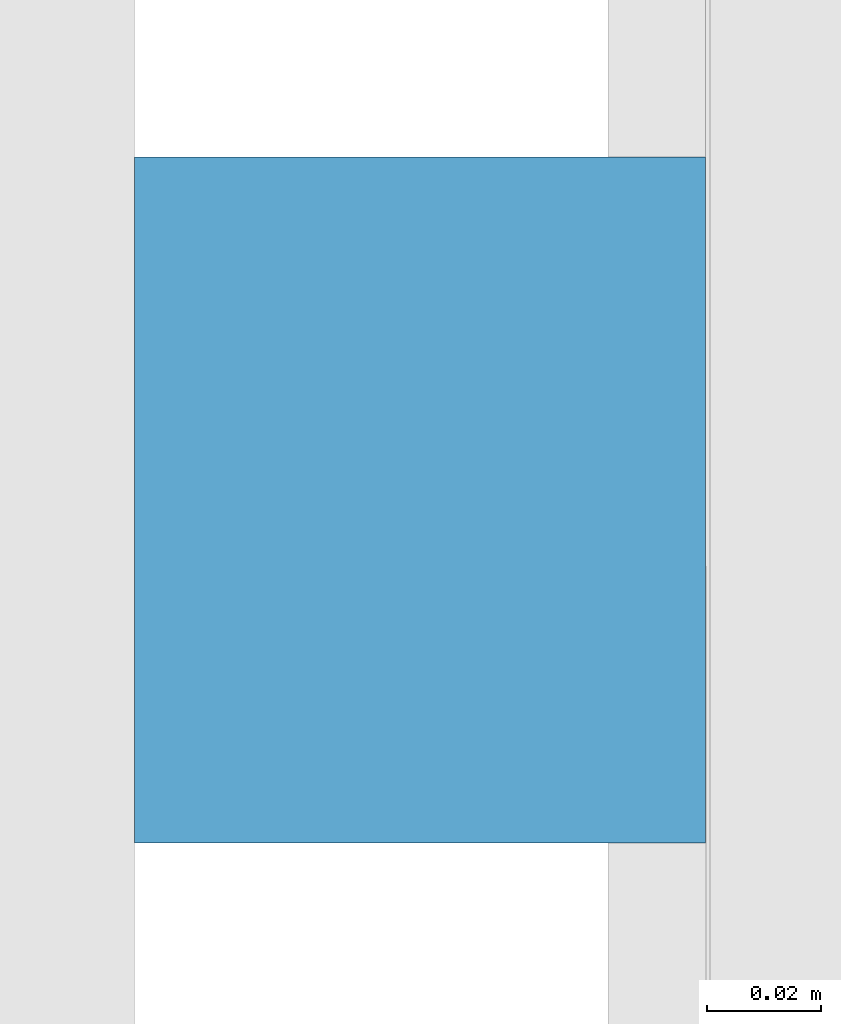
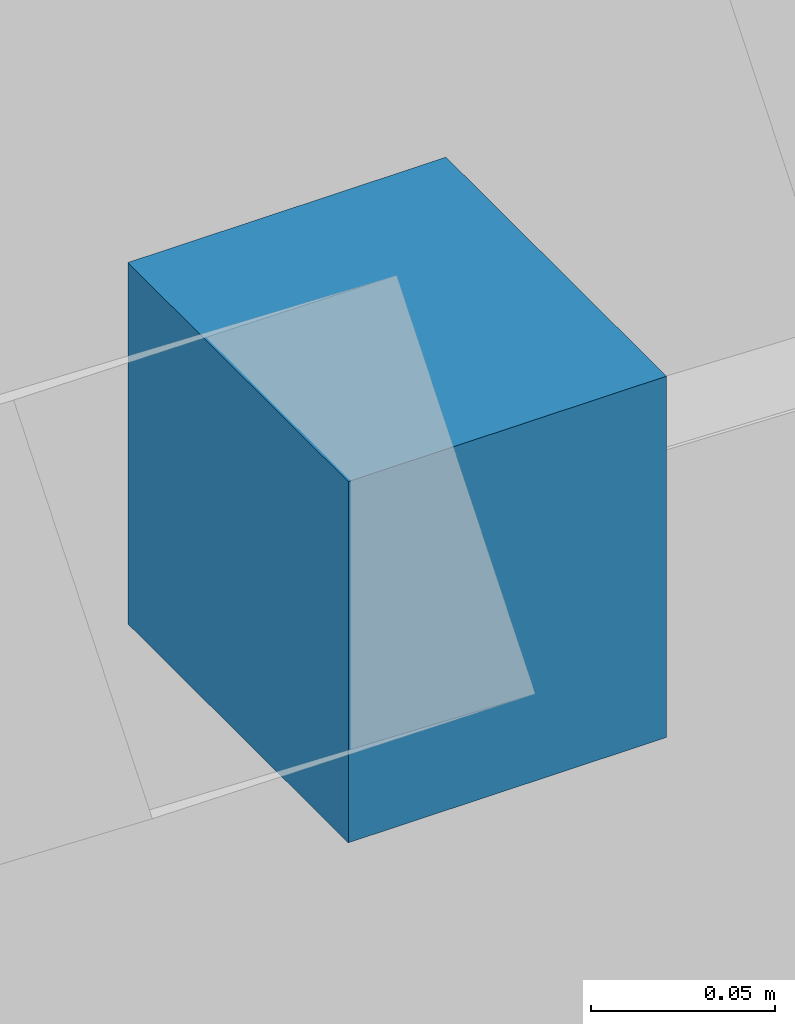
# One storey, part 24 of 27: 1 discrete accessory.
"""IFC4 building model written with IfcOpenShell, lengths in metres."""

from ifc_helpers import new_model, si_unit, direction, frame, origin, origin_2d, place, context, subcontext, project, spatial, rectangle, extrude, material, type_object, element, save


model = new_model("IFC4")

# Units and contexts
model_context = context("Model", 3, precision=1e-05, world=origin(), true_north=direction((0.0, 1.0)))
body_context = subcontext(model_context, "Body", "Model", "MODEL_VIEW")
ifc_project = project(units=[si_unit("LENGTHUNIT", "METRE"), si_unit("AREAUNIT", "SQUARE_METRE"), si_unit("VOLUMEUNIT", "CUBIC_METRE"), si_unit("PLANEANGLEUNIT", "RADIAN"), si_unit("MASSUNIT", "GRAM", prefix="KILO")], contexts=[model_context])

# Site, building, storey
site_placement = place(None, origin())
site = spatial("IfcSite", under=ifc_project, at=site_placement, CompositionType="ELEMENT")
building_placement = place(site_placement, origin())
building = spatial("IfcBuilding", under=site, at=building_placement, Name="Crosswind Convention Tower", CompositionType="ELEMENT")
storey_placement = place(building_placement, frame((0.0, 0.0, 94.199951171875)))
storey = spatial("IfcBuildingStorey", under=building, at=storey_placement, Name="L18", CompositionType="ELEMENT", Elevation=94.199951171875)

# Discrete accessory
ifc_material = material(Name="Stainless steel", Category="steel")
discrete_accessory_type = type_object("IfcDiscreteAccessoryType", Name="BAGUETTE BRACKET BK2", PredefinedType="BRACKET", material=ifc_material)
discrete_accessory_placement = place(storey_placement, frame((88.092041015625, 110.333740234375, 1.4775390625), z_axis=(0.0, 0.0, 1.0), x_axis=(0.0, -1.0, 0.0)))
element("IfcDiscreteAccessory", 1, at=discrete_accessory_placement, inside=storey, type_object=discrete_accessory_type, Name="BK2 baguette bracket", PredefinedType="BRACKET", context=body_context, shape_type="SweptSolid", body=[
    extrude(rectangle(XDim=0.1201171875, YDim=0.10009765625, at=origin_2d()), origin(), (0.0, 0.0, 1.0), 0.1201171875),
])

save(model, "model.ifc")
